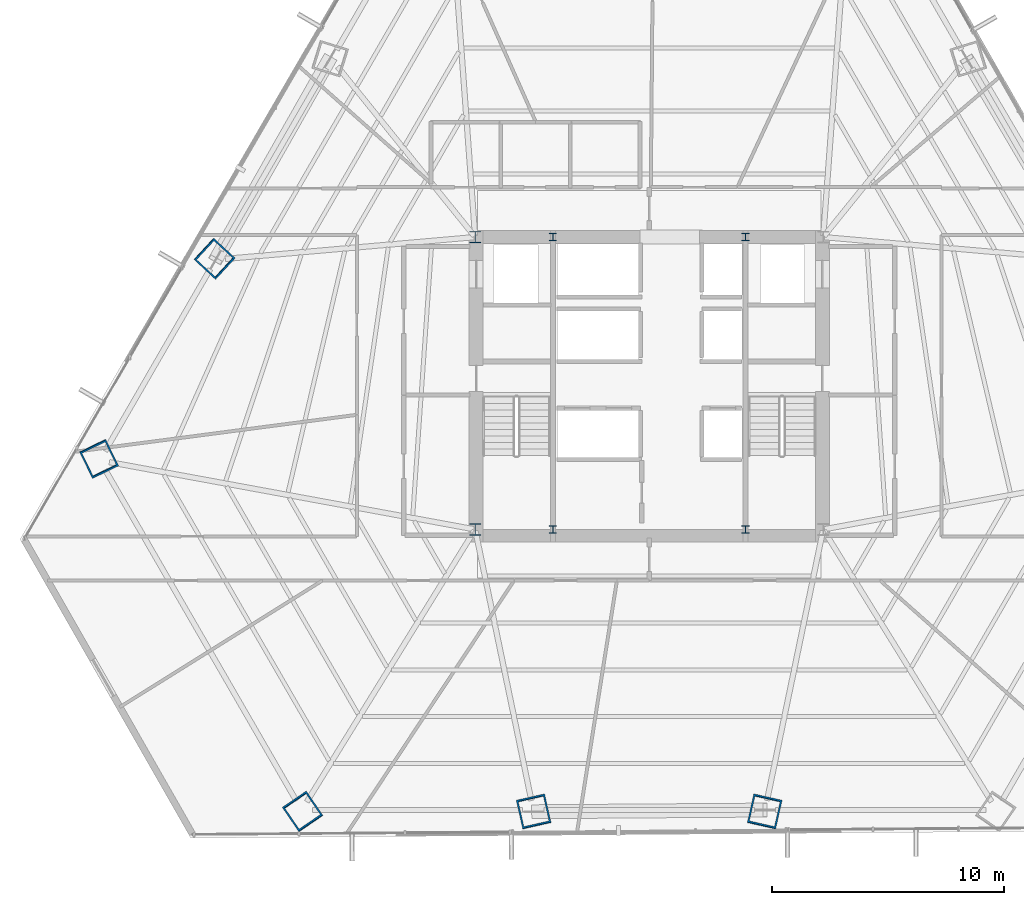
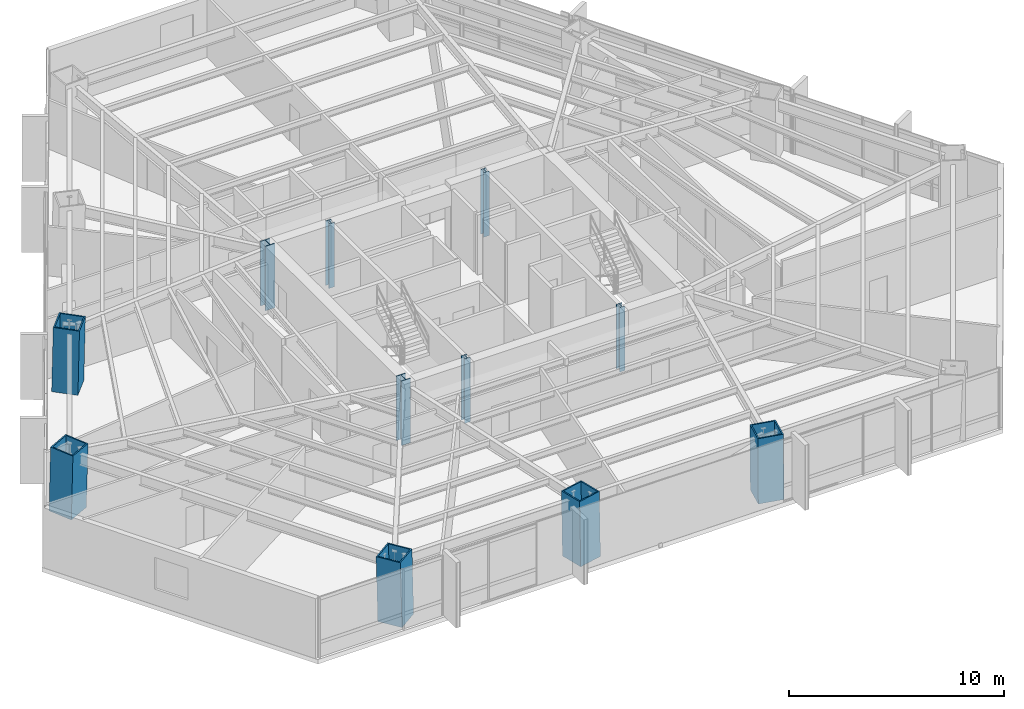
# One storey, part 1 of 34: 11 columns.
"""IFC4 building model written with IfcOpenShell, lengths in metres."""

from ifc_helpers import new_model, si_unit, direction, frame, origin, origin_2d, place, context, subcontext, project, spatial, hollow_rectangle, i_section, extrude, source, transform, mapped, material, material_profile, profile_set, type_object, type_shapes, element, save


model = new_model("IFC4")

# Units and contexts
model_context = context("Model", 3, precision=1e-05, world=origin(), true_north=direction((0.0, 1.0)))
body_context = subcontext(model_context, "Body", "Model", "MODEL_VIEW")
ifc_project = project(units=[si_unit("LENGTHUNIT", "METRE"), si_unit("AREAUNIT", "SQUARE_METRE"), si_unit("VOLUMEUNIT", "CUBIC_METRE"), si_unit("PLANEANGLEUNIT", "RADIAN"), si_unit("MASSUNIT", "GRAM", prefix="KILO")], contexts=[model_context])

# Site, building, storey
site_placement = place(None, origin())
site = spatial("IfcSite", under=ifc_project, at=site_placement, CompositionType="ELEMENT")
building_placement = place(site_placement, origin())
building = spatial("IfcBuilding", under=site, at=building_placement, Name="Caelisora Broadcast Tower", CompositionType="ELEMENT")
storey_placement = place(building_placement, frame((0.0, 0.0, 49.5)))
storey = spatial("IfcBuildingStorey", under=building, at=storey_placement, Name="L12", CompositionType="ELEMENT", Elevation=49.5)

# Columns
ifc_material_1 = material(Name="Steel Grade 350 (AS/NZS 3679.2)", Category="steel")
ifc_material_profile_1 = material_profile(ifc_material_1, i_section(OverallWidth=0.5, OverallDepth=0.5, WebThickness=0.028076171875, FlangeThickness=0.0400390625, at=origin_2d()), Name="Steel Grade 350 (AS/NZS 3679.2)")
ifc_profile_set_1 = profile_set([ifc_material_profile_1], Name="Steel Grade 350 (AS/NZS 3679.2)")
column_type_1 = type_object("IfcColumnType", Name="CC01", PredefinedType="COLUMN", material=ifc_profile_set_1)
shared_shape_1 = source(origin(), body_context, "Body", "SweptSolid", [
    extrude(i_section(OverallWidth=0.5, OverallDepth=0.5, WebThickness=0.028076171875, FlangeThickness=0.0400390625, at=origin_2d()), origin(), (0.0, 0.0, 1.0), 3.64990234375),
])
type_shapes(column_type_1, [shared_shape_1])
for number, where, z_axis, x_axis, name in (
    (1, (30.5, 17.39990234375, 0.0), (0.0, 0.0, 1.0), (1.0, 0.0, 0.0), "L12 column CC01"),
    (2, (30.5, 30.0, 0.0), (0.0, 0.0, 1.0), (1.0, 0.0, 0.0), "L12 column CC01"),
):
    element("IfcColumn", number, at=place(storey_placement, frame(where, z_axis=z_axis, x_axis=x_axis)), inside=storey, type_object=column_type_1, Name=name, PredefinedType="COLUMN", context=body_context, shape_type="MappedRepresentation", body=[
        mapped(shared_shape_1, transform((0.0, 0.0, 0.0), scale=1.0)),
    ])
ifc_material_2 = material(Name="Steel Grade 350 (AS/NZS 3679.1)", Category="steel")
ifc_material_profile_2 = material_profile(ifc_material_2, i_section(OverallWidth=0.306884765625, OverallDepth=0.314697265625, WebThickness=0.011962890625, FlangeThickness=0.018798828125, at=origin_2d()), Name="Steel Grade 350 (AS/NZS 3679.1)")
ifc_profile_set_2 = profile_set([ifc_material_profile_2], Name="Steel Grade 350 (AS/NZS 3679.1)")
column_type_2 = type_object("IfcColumnType", Name="CC04", PredefinedType="COLUMN", material=ifc_profile_set_2)
shared_shape_2 = source(origin(), body_context, "Body", "SweptSolid", [
    extrude(i_section(OverallWidth=0.306884765625, OverallDepth=0.314697265625, WebThickness=0.011962890625, FlangeThickness=0.018798828125, at=origin_2d()), origin(), (0.0, 0.0, 1.0), 3.64990234375),
])
type_shapes(column_type_2, [shared_shape_2])
for number, where, z_axis, x_axis, name in (
    (3, (33.85009765625, 17.39990234375, 0.0), (0.0, 0.0, 1.0), (1.0, 0.0, 0.0), "L12 column CC04"),
    (4, (42.14990234375, 17.39990234375, 0.0), (0.0, 0.0, 1.0), (1.0, 0.0, 0.0), "L12 column CC04"),
    (5, (33.85009765625, 30.0, 0.0), (0.0, 0.0, 1.0), (1.0, 0.0, 0.0), "L12 column CC04"),
    (6, (42.14990234375, 30.0, 0.0), (0.0, 0.0, 1.0), (1.0, 0.0, 0.0), "L12 column CC04"),
):
    element("IfcColumn", number, at=place(storey_placement, frame(where, z_axis=z_axis, x_axis=x_axis)), inside=storey, type_object=column_type_2, Name=name, PredefinedType="COLUMN", context=body_context, shape_type="MappedRepresentation", body=[
        mapped(shared_shape_2, transform((0.0, 0.0, 0.0), scale=1.0)),
    ])
ifc_material_3 = material(Name="Steel Grade 350 L15 (AS/NZS 3678)", Category="steel")
ifc_material_profile_3 = material_profile(ifc_material_3, hollow_rectangle(XDim=1.25, YDim=1.25, WallThickness=0.070068359375, at=origin_2d()), Name="Steel Grade 350 L15 (AS/NZS 3678)")
ifc_profile_set_3 = profile_set([ifc_material_profile_3], Name="Steel Grade 350 L15 (AS/NZS 3678)")
column_type_3 = type_object("IfcColumnType", Name="MC02", PredefinedType="COLUMN", material=ifc_profile_set_3)
shared_shape_3 = source(origin(), body_context, "Body", "SweptSolid", [
    extrude(hollow_rectangle(XDim=1.25, YDim=1.25, WallThickness=0.070068359375, at=origin_2d()), origin(), (0.0, 0.0, 1.0), 3.65087890625),
])
for number, where, z_axis, x_axis, name in (
    (7, (14.2841796875, 20.455810546875, 0.0), (0.010498643418, -0.021599119899, 0.999711586662), (0.899383059768, 0.437161425336, 0.0), "L12 column MC02"),
    (8, (23.07275390625, 5.23388671875, 0.0), (-0.013507825582, 0.019793645407, 0.999712833893), (-0.825991119814, -0.563683129062, 0.0), "L12 column MC02"),
):
    element("IfcColumn", number, at=place(storey_placement, frame(where, z_axis=z_axis, x_axis=x_axis)), inside=storey, type_object=column_type_3, Name=name, PredefinedType="COLUMN", context=body_context, shape_type="MappedRepresentation", body=[
        mapped(shared_shape_3, transform((0.0, 0.0, 0.0), scale=1.0)),
    ])
shared_shape_4 = source(origin(), body_context, "Body", "SweptSolid", [
    extrude(hollow_rectangle(XDim=1.25, YDim=1.25, WallThickness=0.070068359375, at=origin_2d()), origin(), (0.0, 0.0, 1.0), 3.650634765625),
])
type_shapes(column_type_3, [shared_shape_3, shared_shape_4])
for number, where, z_axis, x_axis, name in (
    (9, (19.260009765625, 29.073974609375, 0.0), (0.014913313399, -0.013776424037, 0.999793880369), (0.678553674548, 0.734550822447, 0.0), "L12 column MC02"),
    (10, (33.024169921875, 5.23388671875, 0.0), (-0.004480682206, 0.019795252729, 0.999794014513), (-0.975326687046, -0.220766513622, 0.0), "L12 column MC02"),
    (11, (42.975830078125, 5.23388671875, 0.0), (0.004480682206, 0.019795252729, 0.999794014513), (-0.975326687046, 0.220766513622, 0.0), "L12 column MC02"),
):
    element("IfcColumn", number, at=place(storey_placement, frame(where, z_axis=z_axis, x_axis=x_axis)), inside=storey, type_object=column_type_3, Name=name, PredefinedType="COLUMN", context=body_context, shape_type="MappedRepresentation", body=[
        mapped(shared_shape_4, transform((0.0, 0.0, 0.0), scale=1.0)),
    ])

save(model, "model.ifc")
